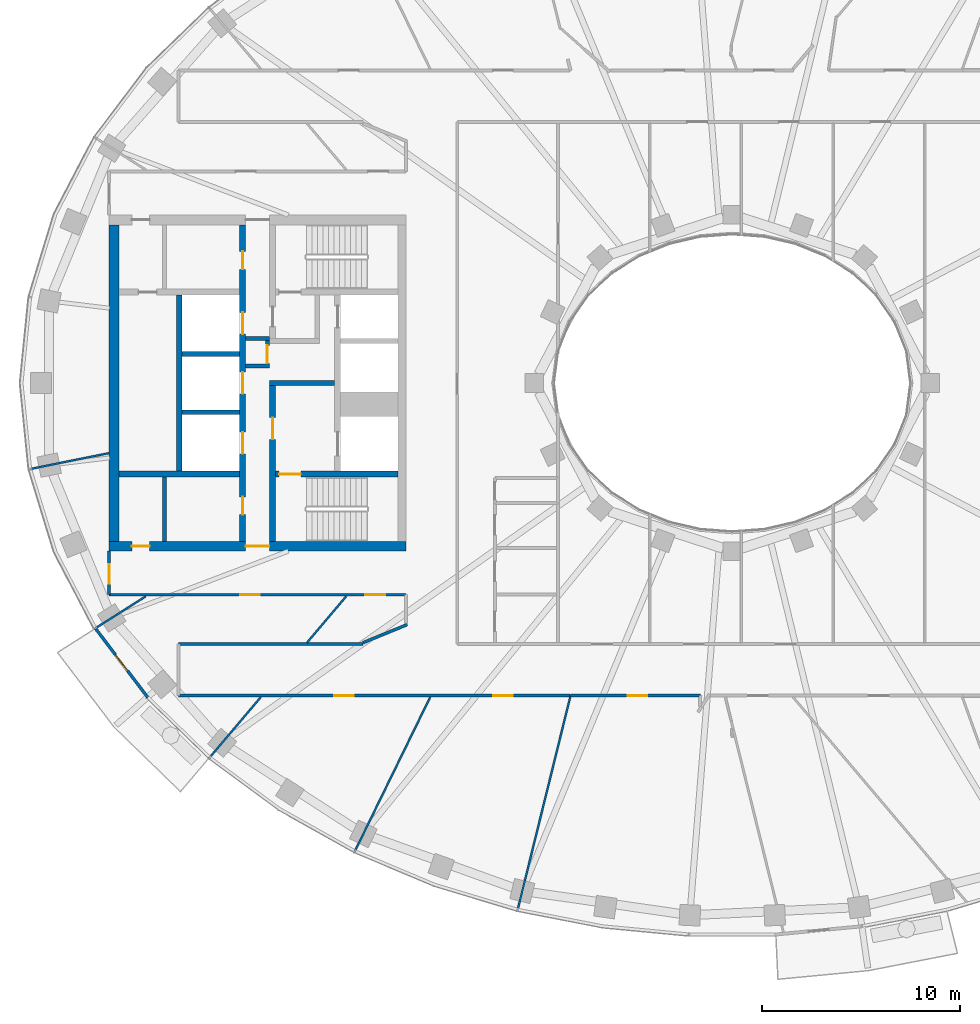
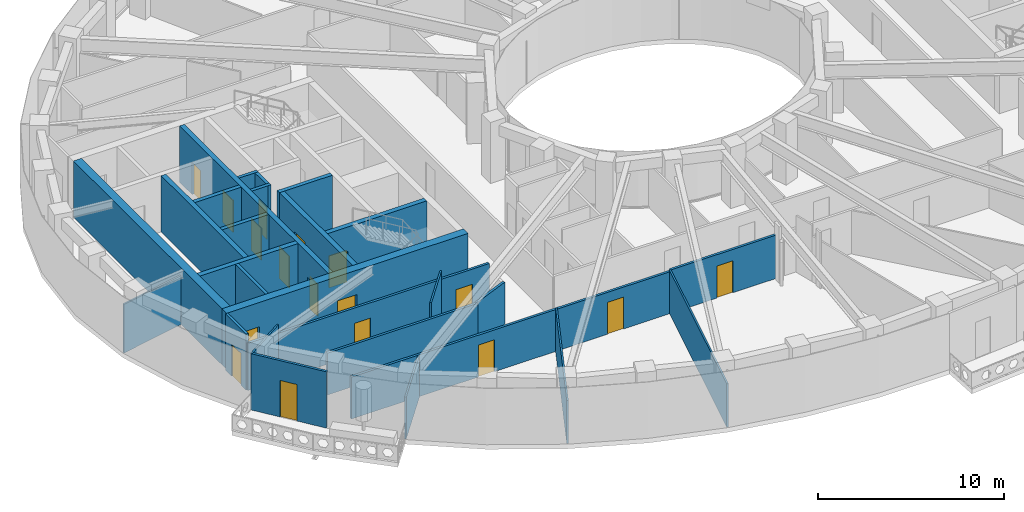
# One storey, part 3 of 17: 27 walls, 17 doors, 17 openings.
"""IFC4 building model written with IfcOpenShell, lengths in metres."""

from ifc_helpers import new_model, si_unit, direction, frame, frame_2d, origin, place, context, subcontext, project, spatial, rectangle, extrude, material, layer, layer_set, type_object, element, fill, save


model = new_model("IFC4")

# Units and contexts
model_context = context("Model", 3, precision=1e-05, world=origin(), true_north=direction((0.0, 1.0)))
body_context = subcontext(model_context, "Body", "Model", "MODEL_VIEW")
ifc_project = project(units=[si_unit("LENGTHUNIT", "METRE"), si_unit("AREAUNIT", "SQUARE_METRE"), si_unit("VOLUMEUNIT", "CUBIC_METRE"), si_unit("PLANEANGLEUNIT", "RADIAN"), si_unit("MASSUNIT", "GRAM", prefix="KILO")], contexts=[model_context])

# Site, building, storey
site_placement = place(None, origin())
site = spatial("IfcSite", under=ifc_project, at=site_placement, CompositionType="ELEMENT")
building_placement = place(site_placement, origin())
building = spatial("IfcBuilding", under=site, at=building_placement, Name="Noorbagh Ring Tower", CompositionType="ELEMENT")
storey_placement = place(building_placement, frame((0.0, 0.0, 269.5)))
storey = spatial("IfcBuildingStorey", under=building, at=storey_placement, Name="L57", CompositionType="ELEMENT", Elevation=269.5)

# Walls
ifc_material_1 = material(Name="Gypsum board on steel studs", Category="steel")
ifc_layer_1 = layer(ifc_material_1, 0.199951171875)
ifc_layer_set_1 = layer_set([ifc_layer_1], Name="Gypsum board on steel studs")
wall_type_1 = type_object("IfcWallType", Name="CORE-PARTITION-200", PredefinedType="PARTITIONING", material=ifc_layer_set_1)
for number, where, z_axis, x_axis, name in (
    (1, (-23.39990234375, 0.85009765625, 0.0), (0.0, 0.0, 1.0), (-1.0, 0.0, 0.0), "Core partition W"),
    (2, (-23.39990234375, 2.25, 0.0), (0.0, 0.0, 1.0), (-1.0, 0.0, 0.0), "Core partition W"),
):
    element("IfcWall", number, at=place(storey_placement, frame(where, z_axis=z_axis, x_axis=x_axis)), inside=storey, type_object=wall_type_1, Name=name, PredefinedType="PARTITIONING", context=body_context, shape_type="SweptSolid", body=[
        extrude(rectangle(XDim=1.2001953125, YDim=0.199951171875, at=frame_2d((0.60009765625, 0.0))), origin(), (0.0, 0.0, 1.0), 3.699951171875),
    ])

# Wall, opening, door
wall_1_placement = place(storey_placement, frame((-23.5, 0.75, 0.0), z_axis=(0.0, 0.0, 1.0), x_axis=(0.0, 1.0, 0.0)))
wall_1 = element("IfcWall", 3, at=wall_1_placement, inside=storey, type_object=wall_type_1, Name="Core partition W", PredefinedType="PARTITIONING", context=body_context, shape_type="SweptSolid", body=[
    extrude(rectangle(XDim=1.60009765625, YDim=0.199951171875, at=frame_2d((0.800048828125, 0.0))), origin(), (0.0, 0.0, 1.0), 3.699951171875),
])
opening_1_placement = place(wall_1_placement, frame((0.25, 0.0, 0.0)))
opening_1 = element("IfcOpeningElement", 4, at=opening_1_placement, cuts=wall_1, Name="Opening L57-CW16", PredefinedType="OPENING", context=body_context, shape_type="SweptSolid", body=[
    extrude(rectangle(XDim=0.89990234375, YDim=2.10009765625, at=frame_2d((0.449951171875, 1.050048828125))), frame((0.0, 0.10986328125, 0.0), z_axis=(0.0, -1.0, 0.0), x_axis=(1.0, 0.0, 0.0)), (0.0, 0.0, 1.0), 0.219970703125),
])
ifc_material_2 = material(Name="Steel door leaf", Category="steel")
door_type_1 = type_object("IfcDoorType", Name="CORE-DOOR-DROOM", OperationType="SINGLE_SWING_LEFT", PredefinedType="DOOR", material=ifc_material_2)
door_1_placement = place(opening_1_placement, origin())
door_1 = element("IfcDoor", 5, at=door_1_placement, inside=storey, type_object=door_type_1, Name="Core room door L57-CW16", OperationType="SINGLE_SWING_RIGHT", OverallHeight=2.10009765625, OverallWidth=0.89990234375, PredefinedType="DOOR", context=body_context, shape_type="SweptSolid", body=[
    extrude(rectangle(XDim=0.89990234375, YDim=2.10009765625, at=frame_2d((0.449951171875, 1.050048828125))), frame((0.0, 0.02490234375, 0.0), z_axis=(0.0, -1.0, 0.0), x_axis=(1.0, 0.0, 0.0)), (0.0, 0.0, 1.0), 0.050048828125),
])
fill(opening_1, door_1)

# Walls
wall_2_placement = place(storey_placement, frame((-28.699951171875, -8.0, 0.0), z_axis=(0.0, 0.0, 1.0), x_axis=(0.0, 1.0, 0.0)))
element("IfcWall", 6, at=wall_2_placement, inside=storey, type_object=wall_type_1, Name="Core partition W", PredefinedType="PARTITIONING", context=body_context, shape_type="SweptSolid", body=[
    extrude(rectangle(XDim=3.25, YDim=0.199951171875, at=frame_2d((1.625, 0.0))), origin(), (0.0, 0.0, 1.0), 3.699951171875),
])
ifc_material_3 = material(Name="Concrete C60/75", Category="concrete")
ifc_layer_2 = layer(ifc_material_3, 0.25)
ifc_layer_set_2 = layer_set([ifc_layer_2], Name="Concrete C60/75")
wall_type_2 = type_object("IfcWallType", Name="CORE-WALL-250-C60-75-EI120", PredefinedType="SHEAR", material=ifc_layer_set_2)
for number, where, z_axis, x_axis, name in (
    (7, (-24.89990234375, -1.47509765625, 0.0), (0.0, 0.0, 1.0), (-1.0, 0.0, 0.0), "Core wall W"),
    (8, (-24.89990234375, 1.47509765625, 0.0), (0.0, 0.0, 1.0), (-1.0, 0.0, 0.0), "Core wall W"),
):
    element("IfcWall", number, at=place(storey_placement, frame(where, z_axis=z_axis, x_axis=x_axis)), inside=storey, type_object=wall_type_2, Name=name, PredefinedType="SHEAR", context=body_context, shape_type="SweptSolid", body=[
        extrude(rectangle(XDim=2.900146484375, YDim=0.25, at=frame_2d((1.4501953125, 0.0))), origin(), (0.0, 0.0, 1.0), 3.699951171875),
    ])
ifc_material_4 = material(Name="Concrete C60/75", Category="concrete")
ifc_layer_3 = layer(ifc_material_4, 0.25)
ifc_layer_set_3 = layer_set([ifc_layer_3], Name="Concrete C60/75")
wall_type_3 = type_object("IfcWallType", Name="CORE-WALL-250-C60-75-EI240", PredefinedType="SHEAR", material=ifc_layer_set_3)
wall_3_placement = place(storey_placement, frame((-20.10009765625, 0.0, 0.0), z_axis=(0.0, 0.0, 1.0), x_axis=(-1.0, 0.0, 0.0)))
element("IfcWall", 9, at=wall_3_placement, inside=storey, type_object=wall_type_3, Name="Core wall W", PredefinedType="SHEAR", context=body_context, shape_type="SweptSolid", body=[
    extrude(rectangle(XDim=3.27978515625, YDim=0.25, at=frame_2d((1.639892578125, 0.0))), origin(), (0.0, 0.0, 1.0), 3.699951171875),
])
ifc_material_5 = material(Name="Concrete C60/75", Category="concrete")
ifc_layer_4 = layer(ifc_material_5, 0.300048828125)
ifc_layer_set_4 = layer_set([ifc_layer_4], Name="Concrete C60/75")
wall_type_4 = type_object("IfcWallType", Name="CORE-WALL-300-C60-75-EI120", PredefinedType="SHEAR", material=ifc_layer_set_4)
wall_4_placement = place(storey_placement, frame((-27.949951171875, -4.449951171875, 0.0), z_axis=(0.0, 0.0, 1.0), x_axis=(0.0, 1.0, 0.0)))
element("IfcWall", 10, at=wall_4_placement, inside=storey, type_object=wall_type_4, Name="Core wall W", PredefinedType="SHEAR", context=body_context, shape_type="SweptSolid", body=[
    extrude(rectangle(XDim=8.89990234375, YDim=0.300048828125, at=frame_2d((4.449951171875, 0.0))), origin(), (0.0, 0.0, 1.0), 3.699951171875),
])

# Wall, openings, doors
wall_5_placement = place(storey_placement, frame((-24.75, -8.0, 0.0), z_axis=(0.0, 0.0, 1.0), x_axis=(0.0, 1.0, 0.0)))
wall_5 = element("IfcWall", 11, at=wall_5_placement, inside=storey, type_object=wall_type_4, Name="Core wall W", PredefinedType="SHEAR", context=body_context, shape_type="SweptSolid", body=[
    extrude(rectangle(XDim=16.0, YDim=0.300048828125, at=frame_2d((8.0, 0.0))), origin(), (0.0, 0.0, 1.0), 3.699951171875),
])
opening_2_placement = place(wall_5_placement, frame((4.425048828125, 0.0, 0.0)))
opening_2 = element("IfcOpeningElement", 12, at=opening_2_placement, cuts=wall_5, Name="Opening L57-CW03", PredefinedType="OPENING", context=body_context, shape_type="SweptSolid", body=[
    extrude(rectangle(XDim=1.10009765625, YDim=2.10009765625, at=frame_2d((0.550048828125, 1.050048828125))), frame((0.0, 0.16015625, 0.0), z_axis=(0.0, -1.0, 0.0), x_axis=(1.0, 0.0, 0.0)), (0.0, 0.0, 1.0), 0.320068359375),
])
opening_3_placement = place(wall_5_placement, frame((7.449951171875, 0.0, 0.0)))
opening_3 = element("IfcOpeningElement", 13, at=opening_3_placement, cuts=wall_5, Name="Opening L57-CW04", PredefinedType="OPENING", context=body_context, shape_type="SweptSolid", body=[
    extrude(rectangle(XDim=1.10009765625, YDim=2.10009765625, at=frame_2d((0.550048828125, 1.050048828125))), frame((0.0, 0.16015625, 0.0), z_axis=(0.0, -1.0, 0.0), x_axis=(1.0, 0.0, 0.0)), (0.0, 0.0, 1.0), 0.320068359375),
])
opening_4_placement = place(wall_5_placement, frame((10.47509765625, 0.0, 0.0)))
opening_4 = element("IfcOpeningElement", 14, at=opening_4_placement, cuts=wall_5, Name="Opening L57-CW05", PredefinedType="OPENING", context=body_context, shape_type="SweptSolid", body=[
    extrude(rectangle(XDim=1.10009765625, YDim=2.10009765625, at=frame_2d((0.550048828125, 1.050048828125))), frame((0.0, 0.16015625, 0.0), z_axis=(0.0, -1.0, 0.0), x_axis=(1.0, 0.0, 0.0)), (0.0, 0.0, 1.0), 0.320068359375),
])
opening_5_placement = place(wall_5_placement, frame((13.75, 0.0, 0.0)))
opening_5 = element("IfcOpeningElement", 15, at=opening_5_placement, cuts=wall_5, Name="Opening L57-CW12", PredefinedType="OPENING", context=body_context, shape_type="SweptSolid", body=[
    extrude(rectangle(XDim=0.89990234375, YDim=2.10009765625, at=frame_2d((0.449951171875, 1.050048828125))), frame((0.0, 0.16015625, 0.0), z_axis=(0.0, -1.0, 0.0), x_axis=(1.0, 0.0, 0.0)), (0.0, 0.0, 1.0), 0.320068359375),
])
opening_6_placement = place(wall_5_placement, frame((1.35009765625, 0.0, 0.0)))
opening_6 = element("IfcOpeningElement", 16, at=opening_6_placement, cuts=wall_5, Name="Opening L57-CW14", PredefinedType="OPENING", context=body_context, shape_type="SweptSolid", body=[
    extrude(rectangle(XDim=0.89990234375, YDim=2.10009765625, at=frame_2d((0.449951171875, 1.050048828125))), frame((0.0, 0.16015625, 0.0), z_axis=(0.0, -1.0, 0.0), x_axis=(1.0, 0.0, 0.0)), (0.0, 0.0, 1.0), 0.320068359375),
])
door_2_placement = place(opening_5_placement, origin())
door_2 = element("IfcDoor", 17, at=door_2_placement, inside=storey, type_object=door_type_1, Name="Core room door L57-CW12", OperationType="SINGLE_SWING_RIGHT", OverallHeight=2.10009765625, OverallWidth=0.89990234375, PredefinedType="DOOR", context=body_context, shape_type="SweptSolid", body=[
    extrude(rectangle(XDim=0.89990234375, YDim=2.10009765625, at=frame_2d((0.449951171875, 1.050048828125))), frame((0.0, 0.02490234375, 0.0), z_axis=(0.0, -1.0, 0.0), x_axis=(1.0, 0.0, 0.0)), (0.0, 0.0, 1.0), 0.050048828125),
])
fill(opening_5, door_2)
door_3_placement = place(opening_6_placement, origin())
door_3 = element("IfcDoor", 18, at=door_3_placement, inside=storey, type_object=door_type_1, Name="Core room door L57-CW14", OperationType="SINGLE_SWING_LEFT", OverallHeight=2.10009765625, OverallWidth=0.89990234375, PredefinedType="DOOR", context=body_context, shape_type="SweptSolid", body=[
    extrude(rectangle(XDim=0.89990234375, YDim=2.10009765625, at=frame_2d((0.449951171875, 1.050048828125))), frame((0.0, 0.02490234375, 0.0), z_axis=(0.0, -1.0, 0.0), x_axis=(1.0, 0.0, 0.0)), (0.0, 0.0, 1.0), 0.050048828125),
])
fill(opening_6, door_3)
ifc_material_6 = material(Name="Steel door leaf", Category="steel")
door_type_2 = type_object("IfcDoorType", Name="CORE-DOOR-LD", OperationType="DOUBLE_DOOR_SLIDING", PredefinedType="DOOR", material=ifc_material_6)
door_4_placement = place(opening_2_placement, origin())
door_4 = element("IfcDoor", 19, at=door_4_placement, inside=storey, type_object=door_type_2, Name="Landing door HR2 L57-CW03", OperationType="DOUBLE_DOOR_SLIDING", OverallHeight=2.10009765625, OverallWidth=1.10009765625, PredefinedType="DOOR", context=body_context, shape_type="SweptSolid", body=[
    extrude(rectangle(XDim=1.10009765625, YDim=2.10009765625, at=frame_2d((0.550048828125, 1.050048828125))), frame((0.0, 0.02490234375, 0.0), z_axis=(0.0, -1.0, 0.0), x_axis=(1.0, 0.0, 0.0)), (0.0, 0.0, 1.0), 0.050048828125),
])
fill(opening_2, door_4)
door_5_placement = place(opening_3_placement, origin())
door_5 = element("IfcDoor", 20, at=door_5_placement, inside=storey, type_object=door_type_2, Name="Landing door HR3 L57-CW04", OperationType="DOUBLE_DOOR_SLIDING", OverallHeight=2.10009765625, OverallWidth=1.10009765625, PredefinedType="DOOR", context=body_context, shape_type="SweptSolid", body=[
    extrude(rectangle(XDim=1.10009765625, YDim=2.10009765625, at=frame_2d((0.550048828125, 1.050048828125))), frame((0.0, 0.02490234375, 0.0), z_axis=(0.0, -1.0, 0.0), x_axis=(1.0, 0.0, 0.0)), (0.0, 0.0, 1.0), 0.050048828125),
])
fill(opening_3, door_5)
door_6_placement = place(opening_4_placement, origin())
door_6 = element("IfcDoor", 21, at=door_6_placement, inside=storey, type_object=door_type_2, Name="Landing door HR4 L57-CW05", OperationType="DOUBLE_DOOR_SLIDING", OverallHeight=2.10009765625, OverallWidth=1.10009765625, PredefinedType="DOOR", context=body_context, shape_type="SweptSolid", body=[
    extrude(rectangle(XDim=1.10009765625, YDim=2.10009765625, at=frame_2d((0.550048828125, 1.050048828125))), frame((0.0, 0.02490234375, 0.0), z_axis=(0.0, -1.0, 0.0), x_axis=(1.0, 0.0, 0.0)), (0.0, 0.0, 1.0), 0.050048828125),
])
fill(opening_4, door_6)

# Wall
ifc_material_7 = material(Name="Concrete C60/75", Category="concrete")
ifc_layer_5 = layer(ifc_material_7, 0.300048828125)
ifc_layer_set_5 = layer_set([ifc_layer_5], Name="Concrete C60/75")
wall_type_5 = type_object("IfcWallType", Name="CORE-WALL-300-C60-75-EI240", PredefinedType="SHEAR", material=ifc_layer_set_5)
wall_6_placement = place(storey_placement, frame((-24.89990234375, -4.60009765625, 0.0), z_axis=(0.0, 0.0, 1.0), x_axis=(-1.0, 0.0, 0.0)))
element("IfcWall", 22, at=wall_6_placement, inside=storey, type_object=wall_type_5, Name="Core wall W", PredefinedType="SHEAR", context=body_context, shape_type="SweptSolid", body=[
    extrude(rectangle(XDim=6.10009765625, YDim=0.300048828125, at=frame_2d((3.050048828125, 0.0))), origin(), (0.0, 0.0, 1.0), 3.699951171875),
])

# Wall, opening, door
wall_7_placement = place(storey_placement, frame((-23.22998046875, -8.0, 0.0), z_axis=(0.0, 0.0, 1.0), x_axis=(0.0, 1.0, 0.0)))
wall_7 = element("IfcWall", 23, at=wall_7_placement, inside=storey, type_object=wall_type_5, Name="Core wall W", PredefinedType="SHEAR", context=body_context, shape_type="SweptSolid", body=[
    extrude(rectangle(XDim=7.875, YDim=0.300048828125, at=frame_2d((3.9375, 0.0))), origin(), (0.0, 0.0, 1.0), 3.699951171875),
])
opening_7_placement = place(wall_7_placement, frame((5.14990234375, 0.0, 0.0)))
opening_7 = element("IfcOpeningElement", 24, at=opening_7_placement, cuts=wall_7, Name="Opening L57-CW08", PredefinedType="OPENING", context=body_context, shape_type="SweptSolid", body=[
    extrude(rectangle(XDim=1.10009765625, YDim=2.10009765625, at=frame_2d((0.550048828125, 1.050048828125))), frame((0.0, 0.16015625, 0.0), z_axis=(0.0, -1.0, 0.0), x_axis=(1.0, 0.0, 0.0)), (0.0, 0.0, 1.0), 0.320068359375),
])
ifc_material_8 = material(Name="Steel door leaf", Category="steel")
door_type_3 = type_object("IfcDoorType", Name="CORE-DOOR-DFF", OperationType="SINGLE_SWING_LEFT", PredefinedType="DOOR", material=ifc_material_8)
door_7_placement = place(opening_7_placement, origin())
door_7 = element("IfcDoor", 25, at=door_7_placement, inside=storey, type_object=door_type_3, Name="Firefighting lobby door L57-CW08", OperationType="SINGLE_SWING_LEFT", OverallHeight=2.10009765625, OverallWidth=1.10009765625, PredefinedType="DOOR", context=body_context, shape_type="SweptSolid", body=[
    extrude(rectangle(XDim=1.10009765625, YDim=2.10009765625, at=frame_2d((0.550048828125, 1.050048828125))), frame((0.0, 0.02490234375, 0.0), z_axis=(0.0, -1.0, 0.0), x_axis=(1.0, 0.0, 0.0)), (0.0, 0.0, 1.0), 0.050048828125),
])
fill(opening_7, door_7)

wall_8_placement = place(storey_placement, frame((-16.89990234375, -4.60009765625, 0.0), z_axis=(0.0, 0.0, 1.0), x_axis=(-1.0, 0.0, 0.0)))
wall_8 = element("IfcWall", 26, at=wall_8_placement, inside=storey, type_object=wall_type_5, Name="Core wall W", PredefinedType="SHEAR", context=body_context, shape_type="SweptSolid", body=[
    extrude(rectangle(XDim=6.18017578125, YDim=0.300048828125, at=frame_2d((3.090087890625, 0.0))), origin(), (0.0, 0.0, 1.0), 3.699951171875),
])
opening_8_placement = place(wall_8_placement, frame((4.89990234375, 0.0, 0.0)))
opening_8 = element("IfcOpeningElement", 27, at=opening_8_placement, cuts=wall_8, Name="Opening L57-CW07", PredefinedType="OPENING", context=body_context, shape_type="SweptSolid", body=[
    extrude(rectangle(XDim=1.10009765625, YDim=2.10009765625, at=frame_2d((0.550048828125, 1.050048828125))), frame((0.0, 0.16015625, 0.0), z_axis=(0.0, -1.0, 0.0), x_axis=(1.0, 0.0, 0.0)), (0.0, 0.0, 1.0), 0.320068359375),
])
ifc_material_9 = material(Name="Steel door leaf", Category="steel")
door_type_4 = type_object("IfcDoorType", Name="CORE-DOOR-DSTAIR", OperationType="SINGLE_SWING_LEFT", PredefinedType="DOOR", material=ifc_material_9)
door_8_placement = place(opening_8_placement, origin())
door_8 = element("IfcDoor", 28, at=door_8_placement, inside=storey, type_object=door_type_4, Name="Stair door ST2 L57-CW07", OperationType="SINGLE_SWING_LEFT", OverallHeight=2.10009765625, OverallWidth=1.10009765625, PredefinedType="DOOR", context=body_context, shape_type="SweptSolid", body=[
    extrude(rectangle(XDim=1.10009765625, YDim=2.10009765625, at=frame_2d((0.550048828125, 1.050048828125))), frame((0.0, 0.02490234375, 0.0), z_axis=(0.0, -1.0, 0.0), x_axis=(1.0, 0.0, 0.0)), (0.0, 0.0, 1.0), 0.050048828125),
])
fill(opening_8, door_8)

# Wall, openings, doors
ifc_material_10 = material(Name="Concrete C60/75", Category="concrete")
ifc_layer_6 = layer(ifc_material_10, 0.5)
ifc_layer_set_6 = layer_set([ifc_layer_6], Name="Concrete C60/75")
wall_type_6 = type_object("IfcWallType", Name="CORE-WALL-500-C60-75-EI240", PredefinedType="SHEAR", material=ifc_layer_set_6)
wall_9_placement = place(storey_placement, frame((-16.5, -8.25, 0.0), z_axis=(0.0, 0.0, 1.0), x_axis=(-1.0, 0.0, 0.0)))
wall_9 = element("IfcWall", 29, at=wall_9_placement, inside=storey, type_object=wall_type_6, Name="Core wall W", PredefinedType="SHEAR", context=body_context, shape_type="SweptSolid", body=[
    extrude(rectangle(XDim=15.0, YDim=0.5, at=frame_2d((7.5, 0.0))), origin(), (0.0, 0.0, 1.0), 3.699951171875),
])
opening_9_placement = place(wall_9_placement, frame((6.89990234375, 0.0, 0.0)))
opening_9 = element("IfcOpeningElement", 30, at=opening_9_placement, cuts=wall_9, Name="Opening L57-CW11", PredefinedType="OPENING", context=body_context, shape_type="SweptSolid", body=[
    extrude(rectangle(XDim=1.199951171875, YDim=2.10009765625, at=frame_2d((0.60009765625, 1.050048828125))), frame((0.0, 0.260009765625, 0.0), z_axis=(0.0, -1.0, 0.0), x_axis=(1.0, 0.0, 0.0)), (0.0, 0.0, 1.0), 0.52001953125),
])
opening_10_placement = place(wall_9_placement, frame((12.949951171875, 0.0, 0.0)))
opening_10 = element("IfcOpeningElement", 31, at=opening_10_placement, cuts=wall_9, Name="Opening L57-CW15", PredefinedType="OPENING", context=body_context, shape_type="SweptSolid", body=[
    extrude(rectangle(XDim=0.89990234375, YDim=2.10009765625, at=frame_2d((0.449951171875, 1.050048828125))), frame((0.0, 0.260009765625, 0.0), z_axis=(0.0, -1.0, 0.0), x_axis=(1.0, 0.0, 0.0)), (0.0, 0.0, 1.0), 0.52001953125),
])
door_9_placement = place(opening_10_placement, origin())
door_9 = element("IfcDoor", 32, at=door_9_placement, inside=storey, type_object=door_type_1, Name="Core room door L57-CW15", OperationType="SINGLE_SWING_LEFT", OverallHeight=2.10009765625, OverallWidth=0.89990234375, PredefinedType="DOOR", context=body_context, shape_type="SweptSolid", body=[
    extrude(rectangle(XDim=0.89990234375, YDim=2.10009765625, at=frame_2d((0.449951171875, 1.050048828125))), frame((0.0, 0.02490234375, 0.0), z_axis=(0.0, -1.0, 0.0), x_axis=(1.0, 0.0, 0.0)), (0.0, 0.0, 1.0), 0.050048828125),
])
fill(opening_10, door_9)
ifc_material_11 = material(Name="Steel door leaf", Category="steel")
door_type_5 = type_object("IfcDoorType", Name="CORE-DOOR-PORT", OperationType="DOUBLE_DOOR_DOUBLE_SWING", PredefinedType="DOOR", material=ifc_material_11)
door_10_placement = place(opening_9_placement, origin())
door_10 = element("IfcDoor", 33, at=door_10_placement, inside=storey, type_object=door_type_5, Name="Core entrance door L57-CW11", OperationType="DOUBLE_DOOR_DOUBLE_SWING", OverallHeight=2.10009765625, OverallWidth=1.199951171875, PredefinedType="DOOR", context=body_context, shape_type="SweptSolid", body=[
    extrude(rectangle(XDim=1.199951171875, YDim=2.10009765625, at=frame_2d((0.60009765625, 1.050048828125))), frame((0.0, 0.02490234375, 0.0), z_axis=(0.0, -1.0, 0.0), x_axis=(1.0, 0.0, 0.0)), (0.0, 0.0, 1.0), 0.050048828125),
])
fill(opening_9, door_10)

# Wall
wall_10_placement = place(storey_placement, frame((-31.25, -8.0, 0.0), z_axis=(0.0, 0.0, 1.0), x_axis=(0.0, 1.0, 0.0)))
element("IfcWall", 34, at=wall_10_placement, inside=storey, type_object=wall_type_6, Name="Core wall W", PredefinedType="SHEAR", context=body_context, shape_type="SweptSolid", body=[
    extrude(rectangle(XDim=16.0, YDim=0.5, at=frame_2d((8.0, 0.0))), origin(), (0.0, 0.0, 1.0), 3.699951171875),
])

# Wall, opening, door
ifc_material_12 = material(Name="Gypsum board on steel studs", Category="steel")
ifc_layer_7 = layer(ifc_material_12, 0.14990234375)
ifc_layer_set_7 = layer_set([ifc_layer_7], Name="Gypsum board on steel studs")
wall_type_7 = type_object("IfcWallType", Name="CORRIDOR PARTITION 150 EI 30", PredefinedType="PARTITIONING", material=ifc_layer_set_7)
wall_11_placement = place(storey_placement, frame((-31.5, -10.699951171875, 0.0), z_axis=(0.0, 0.0, 1.0), x_axis=(0.0, 1.0, 0.0)))
wall_11 = element("IfcWall", 35, at=wall_11_placement, inside=storey, type_object=wall_type_7, Name="L57/wall/P04", PredefinedType="PARTITIONING", context=body_context, shape_type="SweptSolid", body=[
    extrude(rectangle(XDim=2.199951171875, YDim=0.14990234375, at=frame_2d((1.10009765625, 0.0))), origin(), (0.0, 0.0, 1.0), 3.699951171875),
])
opening_11_placement = place(wall_11_placement, frame((0.550048828125, 0.0, 0.0)))
opening_11 = element("IfcOpeningElement", 36, at=opening_11_placement, cuts=wall_11, Name="Opening D1", PredefinedType="OPENING", context=body_context, shape_type="SweptSolid", body=[
    extrude(rectangle(XDim=1.0, YDim=2.10009765625, at=frame_2d((0.5, 1.050048828125))), frame((0.0, 0.0849609375, 0.0), z_axis=(0.0, -1.0, 0.0), x_axis=(1.0, 0.0, 0.0)), (0.0, 0.0, 1.0), 0.169921875),
])
ifc_material_13 = material(Name="Timber, painted", Category="wood")
door_type_6 = type_object("IfcDoorType", Name="DOOR 1000 X 2100 FD30", OperationType="SINGLE_SWING_LEFT", PredefinedType="DOOR", material=ifc_material_13)
door_11_placement = place(opening_11_placement, origin())
door_11 = element("IfcDoor", 37, at=door_11_placement, inside=storey, type_object=door_type_6, Name="L57-D06", OperationType="SINGLE_SWING_RIGHT", OverallHeight=2.10009765625, OverallWidth=1.0, PredefinedType="DOOR", context=body_context, shape_type="SweptSolid", body=[
    extrude(rectangle(XDim=1.0, YDim=2.10009765625, at=frame_2d((0.5, 1.050048828125))), frame((0.0, 0.02490234375, 0.0), z_axis=(0.0, -1.0, 0.0), x_axis=(1.0, 0.0, 0.0)), (0.0, 0.0, 1.0), 0.050048828125),
])
fill(opening_11, door_11)

# Wall, openings, doors
wall_12_placement = place(storey_placement, frame((-31.5, -10.699951171875, 0.0), z_axis=(0.0, 0.0, 1.0), x_axis=(1.0, 0.0, 0.0)))
wall_12 = element("IfcWall", 38, at=wall_12_placement, inside=storey, type_object=wall_type_7, Name="L57/wall/P05", PredefinedType="PARTITIONING", context=body_context, shape_type="SweptSolid", body=[
    extrude(rectangle(XDim=15.0, YDim=0.14990234375, at=frame_2d((7.5, 0.0))), origin(), (0.0, 0.0, 1.0), 3.10009765625),
])
opening_12_placement = place(wall_12_placement, frame((6.62890625, 0.0, 0.0)))
opening_12 = element("IfcOpeningElement", 39, at=opening_12_placement, cuts=wall_12, Name="Opening D1", PredefinedType="OPENING", context=body_context, shape_type="SweptSolid", body=[
    extrude(rectangle(XDim=1.0, YDim=2.10009765625, at=frame_2d((0.5, 1.050048828125))), frame((0.0, 0.0849609375, 0.0), z_axis=(0.0, -1.0, 0.0), x_axis=(1.0, 0.0, 0.0)), (0.0, 0.0, 1.0), 0.169921875),
])
opening_13_placement = place(wall_12_placement, frame((12.948974609375, 0.0, 0.0)))
opening_13 = element("IfcOpeningElement", 40, at=opening_13_placement, cuts=wall_12, Name="Opening D1", PredefinedType="OPENING", context=body_context, shape_type="SweptSolid", body=[
    extrude(rectangle(XDim=1.0, YDim=2.10009765625, at=frame_2d((0.5, 1.050048828125))), frame((0.0, 0.0849609375, 0.0), z_axis=(0.0, -1.0, 0.0), x_axis=(1.0, 0.0, 0.0)), (0.0, 0.0, 1.0), 0.169921875),
])
door_12_placement = place(opening_12_placement, origin())
door_12 = element("IfcDoor", 41, at=door_12_placement, inside=storey, type_object=door_type_6, Name="L57-D08", OperationType="SINGLE_SWING_RIGHT", OverallHeight=2.10009765625, OverallWidth=1.0, PredefinedType="DOOR", context=body_context, shape_type="SweptSolid", body=[
    extrude(rectangle(XDim=1.0, YDim=2.10009765625, at=frame_2d((0.5, 1.050048828125))), frame((0.0, 0.02490234375, 0.0), z_axis=(0.0, -1.0, 0.0), x_axis=(1.0, 0.0, 0.0)), (0.0, 0.0, 1.0), 0.050048828125),
])
fill(opening_12, door_12)
door_13_placement = place(opening_13_placement, origin())
door_13 = element("IfcDoor", 42, at=door_13_placement, inside=storey, type_object=door_type_6, Name="L57-D12", OperationType="SINGLE_SWING_RIGHT", OverallHeight=2.10009765625, OverallWidth=1.0, PredefinedType="DOOR", context=body_context, shape_type="SweptSolid", body=[
    extrude(rectangle(XDim=1.0, YDim=2.10009765625, at=frame_2d((0.5, 1.050048828125))), frame((0.0, 0.02490234375, 0.0), z_axis=(0.0, -1.0, 0.0), x_axis=(1.0, 0.0, 0.0)), (0.0, 0.0, 1.0), 0.050048828125),
])
fill(opening_13, door_13)

wall_13_placement = place(storey_placement, frame((-28.0, -15.800048828125, 0.0), z_axis=(0.0, 0.0, 1.0), x_axis=(1.0, 0.0, 0.0)))
wall_13 = element("IfcWall", 43, at=wall_13_placement, inside=storey, type_object=wall_type_7, Name="L57/wall/P09", PredefinedType="PARTITIONING", context=body_context, shape_type="SweptSolid", body=[
    extrude(rectangle(XDim=19.80908203125, YDim=0.14990234375, at=frame_2d((9.904541015625, 0.0))), origin(), (0.0, 0.0, 1.0), 2.75),
])
opening_14_placement = place(wall_13_placement, frame((7.8779296875, 0.0, 0.0)))
opening_14 = element("IfcOpeningElement", 44, at=opening_14_placement, cuts=wall_13, Name="Opening D1", PredefinedType="OPENING", context=body_context, shape_type="SweptSolid", body=[
    extrude(rectangle(XDim=1.0, YDim=2.10009765625, at=frame_2d((0.5, 1.050048828125))), frame((0.0, 0.0849609375, 0.0), z_axis=(0.0, -1.0, 0.0), x_axis=(1.0, 0.0, 0.0)), (0.0, 0.0, 1.0), 0.169921875),
])
opening_15_placement = place(wall_13_placement, frame((15.909912109375, 0.0, 0.0)))
opening_15 = element("IfcOpeningElement", 45, at=opening_15_placement, cuts=wall_13, Name="Opening D1", PredefinedType="OPENING", context=body_context, shape_type="SweptSolid", body=[
    extrude(rectangle(XDim=1.0, YDim=2.10009765625, at=frame_2d((0.5, 1.050048828125))), frame((0.0, 0.0849609375, 0.0), z_axis=(0.0, -1.0, 0.0), x_axis=(1.0, 0.0, 0.0)), (0.0, 0.0, 1.0), 0.169921875),
])
door_14_placement = place(opening_14_placement, origin())
door_14 = element("IfcDoor", 46, at=door_14_placement, inside=storey, type_object=door_type_6, Name="L57-D10", OperationType="SINGLE_SWING_RIGHT", OverallHeight=2.10009765625, OverallWidth=1.0, PredefinedType="DOOR", context=body_context, shape_type="SweptSolid", body=[
    extrude(rectangle(XDim=1.0, YDim=2.10009765625, at=frame_2d((0.5, 1.050048828125))), frame((0.0, 0.02490234375, 0.0), z_axis=(0.0, -1.0, 0.0), x_axis=(1.0, 0.0, 0.0)), (0.0, 0.0, 1.0), 0.050048828125),
])
fill(opening_14, door_14)
door_15_placement = place(opening_15_placement, origin())
door_15 = element("IfcDoor", 47, at=door_15_placement, inside=storey, type_object=door_type_6, Name="L57-D14", OperationType="SINGLE_SWING_RIGHT", OverallHeight=2.10009765625, OverallWidth=1.0, PredefinedType="DOOR", context=body_context, shape_type="SweptSolid", body=[
    extrude(rectangle(XDim=1.0, YDim=2.10009765625, at=frame_2d((0.5, 1.050048828125))), frame((0.0, 0.02490234375, 0.0), z_axis=(0.0, -1.0, 0.0), x_axis=(1.0, 0.0, 0.0)), (0.0, 0.0, 1.0), 0.050048828125),
])
fill(opening_15, door_15)

# Walls
wall_14_placement = place(storey_placement, frame((-28.0, -13.199951171875, 0.0), z_axis=(0.0, 0.0, 1.0), x_axis=(1.0, 0.0, 0.0)))
element("IfcWall", 48, at=wall_14_placement, inside=storey, type_object=wall_type_7, Name="L57/wall/P10", PredefinedType="PARTITIONING", context=body_context, shape_type="SweptSolid", body=[
    extrude(rectangle(XDim=9.346923828125, YDim=0.14990234375, at=frame_2d((4.67333984375, 0.0))), origin(), (0.0, 0.0, 1.0), 2.75),
])
wall_15_placement = place(storey_placement, frame((-18.6640625, -13.123046875, 0.0), z_axis=(0.0, 0.0, 1.0), x_axis=(0.925590432986, 0.378526551731, 0.0)))
element("IfcWall", 49, at=wall_15_placement, inside=storey, type_object=wall_type_7, Name="L57/wall/P20", PredefinedType="PARTITIONING", context=body_context, shape_type="SweptSolid", body=[
    extrude(rectangle(XDim=2.414794921875, YDim=0.14990234375, at=frame_2d((1.20751953125, 0.0))), origin(), (0.0, 0.0, 1.0), 2.75),
])

# Wall, opening, door
wall_16_placement = place(storey_placement, frame((-8.174072265625, -15.800048828125, 0.0), z_axis=(0.0, 0.0, 1.0), x_axis=(1.0, 0.0, 0.0)))
wall_16 = element("IfcWall", 50, at=wall_16_placement, inside=storey, type_object=wall_type_7, Name="L57/wall/P41", PredefinedType="PARTITIONING", context=body_context, shape_type="SweptSolid", body=[
    extrude(rectangle(XDim=6.55908203125, YDim=0.14990234375, at=frame_2d((3.279541015625, 0.0))), origin(), (0.0, 0.0, 1.0), 2.85009765625),
])
opening_16_placement = place(wall_16_placement, frame((2.883056640625, 0.0, 0.0)))
opening_16 = element("IfcOpeningElement", 51, at=opening_16_placement, cuts=wall_16, Name="Opening D1", PredefinedType="OPENING", context=body_context, shape_type="SweptSolid", body=[
    extrude(rectangle(XDim=1.0, YDim=2.10009765625, at=frame_2d((0.5, 1.050048828125))), frame((0.0, 0.0849609375, 0.0), z_axis=(0.0, -1.0, 0.0), x_axis=(1.0, 0.0, 0.0)), (0.0, 0.0, 1.0), 0.169921875),
])
door_16_placement = place(opening_16_placement, origin())
door_16 = element("IfcDoor", 52, at=door_16_placement, inside=storey, type_object=door_type_6, Name="L57-D16", OperationType="SINGLE_SWING_RIGHT", OverallHeight=2.10009765625, OverallWidth=1.0, PredefinedType="DOOR", context=body_context, shape_type="SweptSolid", body=[
    extrude(rectangle(XDim=1.0, YDim=2.10009765625, at=frame_2d((0.5, 1.050048828125))), frame((0.0, 0.02490234375, 0.0), z_axis=(0.0, -1.0, 0.0), x_axis=(1.0, 0.0, 0.0)), (0.0, 0.0, 1.0), 0.050048828125),
])
fill(opening_16, door_16)

ifc_material_14 = material(Name="Insulated aluminium clad panel", Category="aluminium")
ifc_layer_8 = layer(ifc_material_14, 0.14990234375)
ifc_layer_set_8 = layer_set([ifc_layer_8], Name="Insulated aluminium clad panel")
wall_type_8 = type_object("IfcWallType", Name="ENV-WALL-DOOR", PredefinedType="STANDARD", material=ifc_layer_set_8)
wall_17_placement = place(storey_placement, frame((-32.20751953125, -12.37353515625, 0.0), z_axis=(0.0, 0.0, 1.0), x_axis=(0.604045763106, -0.796949632081, 0.0)))
wall_17 = element("IfcWall", 53, at=wall_17_placement, inside=storey, type_object=wall_type_8, Name="Balcony door wall chord 27", PredefinedType="STANDARD", context=body_context, shape_type="SweptSolid", body=[
    extrude(rectangle(XDim=4.42333984375, YDim=0.14990234375, at=frame_2d((2.211669921875, 0.0))), origin(), (0.0, 0.0, 1.0), 3.699951171875),
])
opening_17_placement = place(wall_17_placement, frame((1.711669921875, 0.0, 0.0)))
opening_17 = element("IfcOpeningElement", 54, at=opening_17_placement, cuts=wall_17, Name="Opening D-BL", PredefinedType="OPENING", context=body_context, shape_type="SweptSolid", body=[
    extrude(rectangle(XDim=1.0, YDim=2.39990234375, at=frame_2d((0.5, 1.199951171875))), frame((0.0, 0.0849609375, 0.0), z_axis=(0.0, -1.0, 0.0), x_axis=(1.0, 0.0, 0.0)), (0.0, 0.0, 1.0), 0.169921875),
])
ifc_material_15 = material(Name="Aluminium and glass", Category="aluminium")
door_type_7 = type_object("IfcDoorType", Name="ENV-DOOR-BALCONY", OperationType="SINGLE_SWING_LEFT", PredefinedType="DOOR", material=ifc_material_15)
door_17_placement = place(opening_17_placement, origin())
door_17 = element("IfcDoor", 55, at=door_17_placement, inside=storey, type_object=door_type_7, Name="Balcony door chord 27", OperationType="SINGLE_SWING_RIGHT", OverallHeight=2.39990234375, OverallWidth=1.0, PredefinedType="DOOR", context=body_context, shape_type="SweptSolid", body=[
    extrude(rectangle(XDim=1.0, YDim=2.39990234375, at=frame_2d((0.5, 1.199951171875))), frame((0.0, 0.02490234375, 0.0), z_axis=(0.0, -1.0, 0.0), x_axis=(1.0, 0.0, 0.0)), (0.0, 0.0, 1.0), 0.050048828125),
])
fill(opening_17, door_17)

# Walls
ifc_material_16 = material(Name="Gypsum board on steel studs", Category="steel")
ifc_layer_9 = layer(ifc_material_16, 0.10009765625)
ifc_layer_set_9 = layer_set([ifc_layer_9], Name="Gypsum board on steel studs")
wall_type_9 = type_object("IfcWallType", Name="PARTITION 100 GYPSUM", PredefinedType="PARTITIONING", material=ifc_layer_set_9)
wall_18_placement = place(storey_placement, frame((-35.511962890625, -4.34912109375, 0.0), z_axis=(0.0, 0.0, 1.0), x_axis=(0.980357474535, 0.197228857227, 0.0)))
element("IfcWall", 56, at=wall_18_placement, inside=storey, type_object=wall_type_9, Name="L57/wall/P01", PredefinedType="PARTITIONING", context=body_context, shape_type="SweptSolid", body=[
    extrude(rectangle(XDim=4.09228515625, YDim=0.10009765625, at=frame_2d((2.046142578125, 0.0))), origin(), (0.0, 0.0, 1.0), 3.199951171875),
])
wall_19_placement = place(storey_placement, frame((-32.2119140625, -12.407958984375, 0.0), z_axis=(0.0, 0.0, 1.0), x_axis=(0.844810627195, 0.535065420467, 0.0)))
element("IfcWall", 57, at=wall_19_placement, inside=storey, type_object=wall_type_9, Name="L57/wall/P02", PredefinedType="PARTITIONING", context=body_context, shape_type="SweptSolid", body=[
    extrude(rectangle(XDim=3.0478515625, YDim=0.10009765625, at=frame_2d((1.52392578125, 0.0))), origin(), (0.0, 0.0, 1.0), 3.699951171875),
])
wall_20_placement = place(storey_placement, frame((-26.429931640625, -18.945068359375, 0.0), z_axis=(0.0, 0.0, 1.0), x_axis=(0.646323350317, 0.763063645337, 0.0)))
element("IfcWall", 58, at=wall_20_placement, inside=storey, type_object=wall_type_9, Name="L57/wall/P14", PredefinedType="PARTITIONING", context=body_context, shape_type="SweptSolid", body=[
    extrude(rectangle(XDim=4.01953125, YDim=0.10009765625, at=frame_2d((2.009765625, 0.0))), origin(), (0.0, 0.0, 1.0), 2.75),
])
wall_21_placement = place(storey_placement, frame((-21.4990234375, -13.125, 0.0), z_axis=(0.0, 0.0, 1.0), x_axis=(0.646354899778, 0.763036921474, 0.0)))
element("IfcWall", 59, at=wall_21_placement, inside=storey, type_object=wall_type_9, Name="L57/wall/P16", PredefinedType="PARTITIONING", context=body_context, shape_type="SweptSolid", body=[
    extrude(rectangle(XDim=3.07568359375, YDim=0.10009765625, at=frame_2d((1.537841796875, 0.0))), origin(), (0.0, 0.0, 1.0), 3.699951171875),
])
wall_22_placement = place(storey_placement, frame((-19.0859375, -23.68505859375, 0.0), z_axis=(0.0, 0.0, 1.0), x_axis=(0.439174872977, 0.898401597809, 0.0)))
element("IfcWall", 60, at=wall_22_placement, inside=storey, type_object=wall_type_9, Name="L57/wall/P18", PredefinedType="PARTITIONING", context=body_context, shape_type="SweptSolid", body=[
    extrude(rectangle(XDim=8.693359375, YDim=0.10009765625, at=frame_2d((4.3466796875, 0.0))), origin(), (0.0, 0.0, 1.0), 2.85009765625),
])
wall_23_placement = place(storey_placement, frame((-10.85302734375, -26.64599609375, 0.0), z_axis=(0.0, 0.0, 1.0), x_axis=(0.239794021926, 0.970823787847, 0.0)))
element("IfcWall", 61, at=wall_23_placement, inside=storey, type_object=wall_type_9, Name="L57/wall/P33", PredefinedType="PARTITIONING", context=body_context, shape_type="SweptSolid", body=[
    extrude(rectangle(XDim=11.171875, YDim=0.10009765625, at=frame_2d((5.5859375, 0.0))), origin(), (0.0, 0.0, 1.0), 2.85009765625),
])

save(model, "model.ifc")
